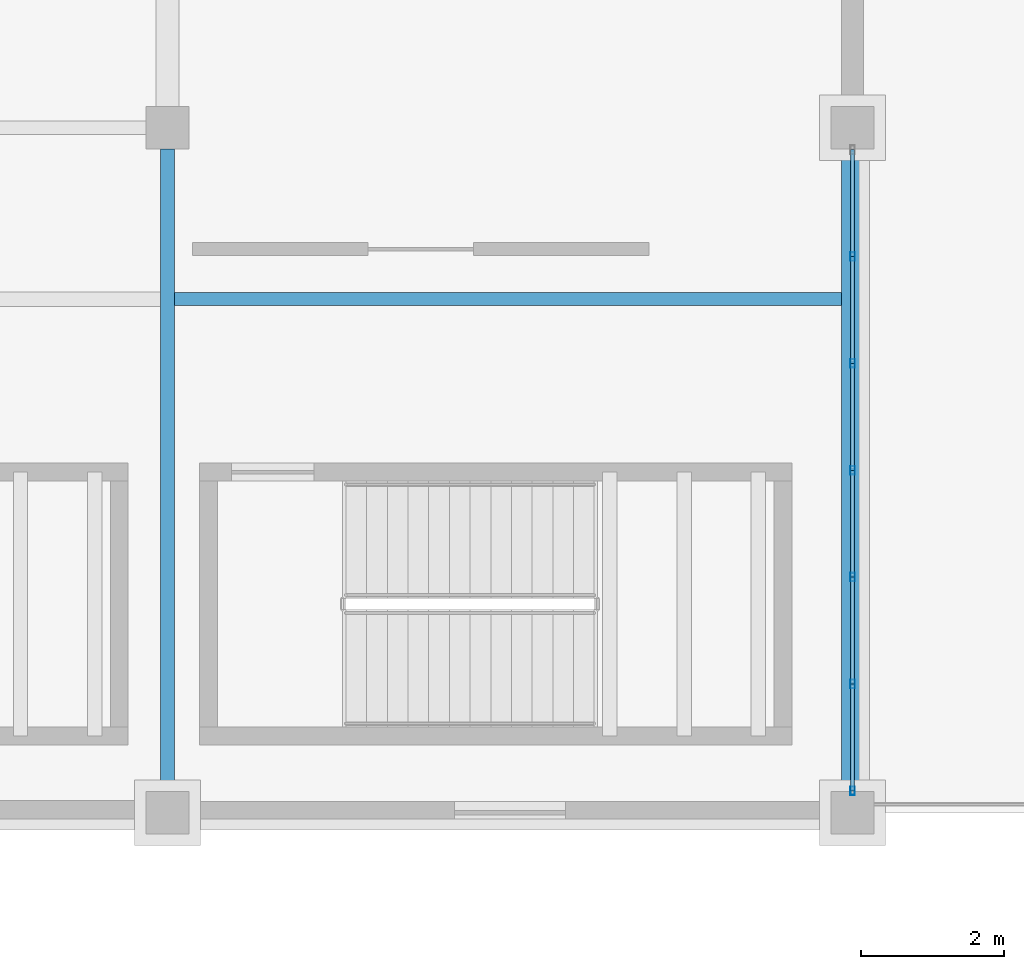
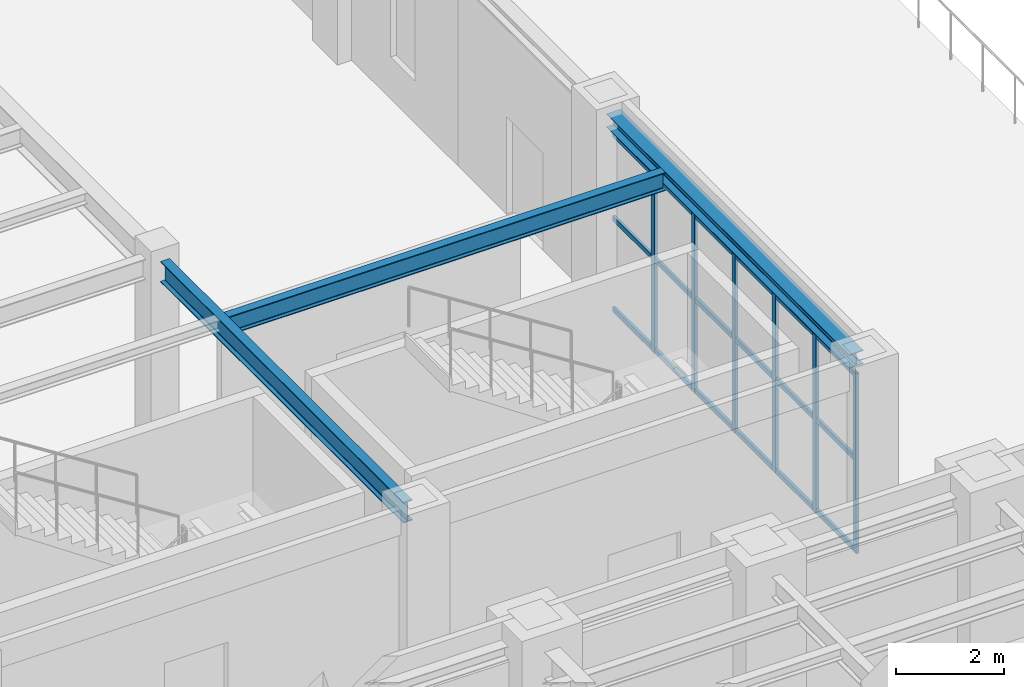
# One storey, part 20 of 83: 24 members, 3 beams, 1 element without a shape of its own.
"""IFC4 building model written with IfcOpenShell, lengths in metres."""

from ifc_helpers import new_model, si_unit, direction, frame, origin, origin_2d, place, context, subcontext, project, spatial, hollow_rectangle, i_section, extrude, material, material_profile, profile_set, type_object, element, aggregate, save


model = new_model("IFC4")

# Units and contexts
model_context = context("Model", 3, precision=1e-05, world=origin(), true_north=direction((0.0, 1.0)))
body_context = subcontext(model_context, "Body", "Model", "MODEL_VIEW")
ifc_project = project(units=[si_unit("LENGTHUNIT", "METRE"), si_unit("AREAUNIT", "SQUARE_METRE"), si_unit("VOLUMEUNIT", "CUBIC_METRE"), si_unit("PLANEANGLEUNIT", "RADIAN"), si_unit("MASSUNIT", "GRAM", prefix="KILO")], contexts=[model_context])

# Site, building, storey
site_placement = place(None, origin())
site = spatial("IfcSite", under=ifc_project, at=site_placement, CompositionType="ELEMENT")
building_placement = place(site_placement, origin())
building = spatial("IfcBuilding", under=site, at=building_placement, Name="Mavantir Sound Aquarium", CompositionType="ELEMENT")
storey_placement = place(building_placement, frame((0.0, 0.0, 10.5)))
storey = spatial("IfcBuildingStorey", under=building, at=storey_placement, Name="L02", CompositionType="ELEMENT", Elevation=10.5)

# Beams
ifc_material_1 = material(Name="Structural Steel ASTM A992 Gr50", Category="steel")
ifc_material_profile_1 = material_profile(ifc_material_1, i_section(OverallWidth=0.304931640625, OverallDepth=0.30810546875, WebThickness=0.010009765625, FlangeThickness=0.015380859375, FilletRadius=0.014892578125, at=origin_2d()), Name="W310X97")
ifc_profile_set_1 = profile_set([ifc_material_profile_1], Name="Structural Steel ASTM A992 Gr50")
beam_type_1 = type_object("IfcBeamType", Name="BM-W310X97-E", PredefinedType="SPANDREL", material=ifc_profile_set_1)
beam_1_placement = place(storey_placement, frame((28.800048828125, 83.89990234375, 4.362060546875), z_axis=(0.0, 1.0, 0.0), x_axis=(-1.0, 0.0, 0.0)))
element("IfcBeam", 1, at=beam_1_placement, inside=storey, type_object=beam_type_1, Name="L02 primary girder SS-31A 1623", PredefinedType="SPANDREL", context=body_context, shape_type="SweptSolid", body=[
    extrude(i_section(OverallWidth=0.304931640625, OverallDepth=0.30810546875, WebThickness=0.010009765625, FlangeThickness=0.015380859375, FilletRadius=0.014892578125, at=origin_2d()), origin(), (0.0, 0.0, 1.0), 9.0),
])
ifc_material_profile_2 = material_profile(ifc_material_1, i_section(OverallWidth=0.180908203125, OverallDepth=0.4169921875, WebThickness=0.010986328125, FlangeThickness=0.018310546875, FilletRadius=0.014892578125, at=origin_2d()), Name="W410X85")
ifc_profile_set_2 = profile_set([ifc_material_profile_2], Name="Structural Steel ASTM A992 Gr50")
beam_type_2 = type_object("IfcBeamType", Name="BM-W410X85-I", PredefinedType="JOIST", material=ifc_profile_set_2)
beam_2_placement = place(storey_placement, frame((19.297119140625, 90.800048828125, 4.3076171875), z_axis=(1.0, 0.0, 0.0), x_axis=(0.0, 1.0, 0.0)))
element("IfcBeam", 2, at=beam_2_placement, inside=storey, type_object=beam_type_2, Name="L02 secondary floor joist SJ-41 957", PredefinedType="JOIST", context=body_context, shape_type="SweptSolid", body=[
    extrude(i_section(OverallWidth=0.180908203125, OverallDepth=0.4169921875, WebThickness=0.010986328125, FlangeThickness=0.018310546875, FilletRadius=0.014892578125, at=origin_2d()), origin(), (0.0, 0.0, 1.0), 9.350341796875),
])
ifc_material_profile_3 = material_profile(ifc_material_1, i_section(OverallWidth=0.194091796875, OverallDepth=0.468994140625, WebThickness=0.0126953125, FlangeThickness=0.0205078125, FilletRadius=0.01611328125, at=origin_2d()), Name="W460X106")
ifc_profile_set_3 = profile_set([ifc_material_profile_3], Name="Structural Steel ASTM A992 Gr50")
beam_type_3 = type_object("IfcBeamType", Name="BM-W460X106-I", PredefinedType="BEAM", material=ifc_profile_set_3)
beam_3_placement = place(storey_placement, frame((19.199951171875, 83.89990234375, 4.281494140625), z_axis=(0.0, 1.0, 0.0), x_axis=(-1.0, 0.0, 0.0)))
element("IfcBeam", 3, at=beam_3_placement, inside=storey, type_object=beam_type_3, Name="L02 primary girder SB-46 1620", PredefinedType="BEAM", context=body_context, shape_type="SweptSolid", body=[
    extrude(i_section(OverallWidth=0.194091796875, OverallDepth=0.468994140625, WebThickness=0.0126953125, FlangeThickness=0.0205078125, FilletRadius=0.01611328125, at=origin_2d()), origin(), (0.0, 0.0, 1.0), 9.0),
])

# Curtain wall, members
ifc_material_2 = material(Name="Anodised Marine Aluminium and Low-E Glass", Category="aluminium")
curtain_wall_type = type_object("IfcCurtainWallType", Name="CW-T20", PredefinedType="USERDEFINED", material=ifc_material_2)
curtain_wall_placement = place(storey_placement, origin())
curtain_wall = element("IfcCurtainWall", 4, at=curtain_wall_placement, inside=storey, type_object=curtain_wall_type, Name="L02 unitised curtain wall CW-20 140", ObjectType="UNITISED GLAZING", PredefinedType="USERDEFINED")
ifc_material_3 = material(Name="Anodised Marine Aluminium 6063-T6", Category="aluminium")
ifc_material_profile_4 = material_profile(ifc_material_3, hollow_rectangle(XDim=0.06494140625, YDim=0.1201171875, WallThickness=0.00390625, at=origin_2d()), Name="ALU-MULLION-120X65")
ifc_profile_set_4 = profile_set([ifc_material_profile_4], Name="Anodised Marine Aluminium 6063-T6")
member_type_1 = type_object("IfcMemberType", Name="CW-MUL-120", PredefinedType="MULLION", material=ifc_profile_set_4)
member_1_placement = place(storey_placement, frame((28.800048828125, 83.907958984375, 0.0), z_axis=(0.0, 0.0, 1.0), x_axis=(1.0, 0.0, 0.0)))
member_1 = element("IfcMember", 5, at=member_1_placement, type_object=member_type_1, Name="CW-L02-140 vertical mullion 1", PredefinedType="MULLION", context=body_context, shape_type="SweptSolid", body=[
    extrude(hollow_rectangle(XDim=0.06494140625, YDim=0.1201171875, WallThickness=0.00390625, at=origin_2d()), origin(), (0.0, 0.0, 1.0), 4.069091796875),
])
member_2_placement = place(storey_placement, frame((28.800048828125, 85.4052734375, 0.0), z_axis=(0.0, 0.0, 1.0), x_axis=(1.0, 0.0, 0.0)))
member_2 = element("IfcMember", 6, at=member_2_placement, type_object=member_type_1, Name="CW-L02-140 vertical mullion 2", PredefinedType="MULLION", context=body_context, shape_type="SweptSolid", body=[
    extrude(hollow_rectangle(XDim=0.06494140625, YDim=0.1201171875, WallThickness=0.00390625, at=origin_2d()), origin(), (0.0, 0.0, 1.0), 4.069091796875),
])
member_3_placement = place(storey_placement, frame((28.800048828125, 86.902587890625, 0.0), z_axis=(0.0, 0.0, 1.0), x_axis=(1.0, 0.0, 0.0)))
member_3 = element("IfcMember", 7, at=member_3_placement, type_object=member_type_1, Name="CW-L02-140 vertical mullion 3", PredefinedType="MULLION", context=body_context, shape_type="SweptSolid", body=[
    extrude(hollow_rectangle(XDim=0.06494140625, YDim=0.1201171875, WallThickness=0.00390625, at=origin_2d()), origin(), (0.0, 0.0, 1.0), 4.069091796875),
])
member_4_placement = place(storey_placement, frame((28.800048828125, 88.39990234375, 0.0), z_axis=(0.0, 0.0, 1.0), x_axis=(1.0, 0.0, 0.0)))
member_4 = element("IfcMember", 8, at=member_4_placement, type_object=member_type_1, Name="CW-L02-140 vertical mullion 4", PredefinedType="MULLION", context=body_context, shape_type="SweptSolid", body=[
    extrude(hollow_rectangle(XDim=0.06494140625, YDim=0.1201171875, WallThickness=0.00390625, at=origin_2d()), origin(), (0.0, 0.0, 1.0), 4.069091796875),
])
member_5_placement = place(storey_placement, frame((28.800048828125, 89.897216796875, 0.0), z_axis=(0.0, 0.0, 1.0), x_axis=(1.0, 0.0, 0.0)))
member_5 = element("IfcMember", 9, at=member_5_placement, type_object=member_type_1, Name="CW-L02-140 vertical mullion 5", PredefinedType="MULLION", context=body_context, shape_type="SweptSolid", body=[
    extrude(hollow_rectangle(XDim=0.06494140625, YDim=0.1201171875, WallThickness=0.00390625, at=origin_2d()), origin(), (0.0, 0.0, 1.0), 4.069091796875),
])
member_6_placement = place(storey_placement, frame((28.800048828125, 91.394775390625, 0.0), z_axis=(0.0, 0.0, 1.0), x_axis=(1.0, 0.0, 0.0)))
member_6 = element("IfcMember", 10, at=member_6_placement, type_object=member_type_1, Name="CW-L02-140 vertical mullion 6", PredefinedType="MULLION", context=body_context, shape_type="SweptSolid", body=[
    extrude(hollow_rectangle(XDim=0.06494140625, YDim=0.1201171875, WallThickness=0.00390625, at=origin_2d()), origin(), (0.0, 0.0, 1.0), 4.069091796875),
])
ifc_material_profile_5 = material_profile(ifc_material_3, hollow_rectangle(XDim=0.06005859375, YDim=0.110107421875, WallThickness=0.00390625, at=origin_2d()), Name="ALU-TRANSOM-110X60")
ifc_profile_set_5 = profile_set([ifc_material_profile_5], Name="Anodised Marine Aluminium 6063-T6")
member_type_2 = type_object("IfcMemberType", Name="CW-TRN-110", PredefinedType="USERDEFINED", material=ifc_profile_set_5)
member_7_placement = place(storey_placement, frame((28.800048828125, 83.907958984375, 0.054931640625), z_axis=(0.0, 1.0, 0.0), x_axis=(-1.0, 0.0, 0.0)))
member_7 = element("IfcMember", 11, at=member_7_placement, type_object=member_type_2, Name="CW-L02-140 transom 1.1", ObjectType="TRANSOM", PredefinedType="USERDEFINED", context=body_context, shape_type="SweptSolid", body=[
    extrude(hollow_rectangle(XDim=0.06005859375, YDim=0.110107421875, WallThickness=0.00390625, at=origin_2d()), origin(), (0.0, 0.0, 1.0), 1.497314453125),
])
member_8_placement = place(storey_placement, frame((28.800048828125, 83.907958984375, 2.115966796875), z_axis=(0.0, 1.0, 0.0), x_axis=(-1.0, 0.0, 0.0)))
member_8 = element("IfcMember", 12, at=member_8_placement, type_object=member_type_2, Name="CW-L02-140 transom 1.2", ObjectType="TRANSOM", PredefinedType="USERDEFINED", context=body_context, shape_type="SweptSolid", body=[
    extrude(hollow_rectangle(XDim=0.06005859375, YDim=0.110107421875, WallThickness=0.00390625, at=origin_2d()), origin(), (0.0, 0.0, 1.0), 1.497314453125),
])
member_9_placement = place(storey_placement, frame((28.800048828125, 83.907958984375, 4.013916015625), z_axis=(0.0, 1.0, 0.0), x_axis=(-1.0, 0.0, 0.0)))
member_9 = element("IfcMember", 13, at=member_9_placement, type_object=member_type_2, Name="CW-L02-140 transom 1.3", ObjectType="TRANSOM", PredefinedType="USERDEFINED", context=body_context, shape_type="SweptSolid", body=[
    extrude(hollow_rectangle(XDim=0.06005859375, YDim=0.110107421875, WallThickness=0.00390625, at=origin_2d()), origin(), (0.0, 0.0, 1.0), 1.497314453125),
])
member_10_placement = place(storey_placement, frame((28.800048828125, 85.4052734375, 0.054931640625), z_axis=(0.0, 1.0, 0.0), x_axis=(-1.0, 0.0, 0.0)))
member_10 = element("IfcMember", 14, at=member_10_placement, type_object=member_type_2, Name="CW-L02-140 transom 2.1", ObjectType="TRANSOM", PredefinedType="USERDEFINED", context=body_context, shape_type="SweptSolid", body=[
    extrude(hollow_rectangle(XDim=0.06005859375, YDim=0.110107421875, WallThickness=0.00390625, at=origin_2d()), origin(), (0.0, 0.0, 1.0), 1.497314453125),
])
member_11_placement = place(storey_placement, frame((28.800048828125, 85.4052734375, 2.115966796875), z_axis=(0.0, 1.0, 0.0), x_axis=(-1.0, 0.0, 0.0)))
member_11 = element("IfcMember", 15, at=member_11_placement, type_object=member_type_2, Name="CW-L02-140 transom 2.2", ObjectType="TRANSOM", PredefinedType="USERDEFINED", context=body_context, shape_type="SweptSolid", body=[
    extrude(hollow_rectangle(XDim=0.06005859375, YDim=0.110107421875, WallThickness=0.00390625, at=origin_2d()), origin(), (0.0, 0.0, 1.0), 1.497314453125),
])
member_12_placement = place(storey_placement, frame((28.800048828125, 85.4052734375, 4.013916015625), z_axis=(0.0, 1.0, 0.0), x_axis=(-1.0, 0.0, 0.0)))
member_12 = element("IfcMember", 16, at=member_12_placement, type_object=member_type_2, Name="CW-L02-140 transom 2.3", ObjectType="TRANSOM", PredefinedType="USERDEFINED", context=body_context, shape_type="SweptSolid", body=[
    extrude(hollow_rectangle(XDim=0.06005859375, YDim=0.110107421875, WallThickness=0.00390625, at=origin_2d()), origin(), (0.0, 0.0, 1.0), 1.497314453125),
])
member_13_placement = place(storey_placement, frame((28.800048828125, 86.902587890625, 0.054931640625), z_axis=(0.0, 1.0, 0.0), x_axis=(-1.0, 0.0, 0.0)))
member_13 = element("IfcMember", 17, at=member_13_placement, type_object=member_type_2, Name="CW-L02-140 transom 3.1", ObjectType="TRANSOM", PredefinedType="USERDEFINED", context=body_context, shape_type="SweptSolid", body=[
    extrude(hollow_rectangle(XDim=0.06005859375, YDim=0.110107421875, WallThickness=0.00390625, at=origin_2d()), origin(), (0.0, 0.0, 1.0), 1.497314453125),
])
member_14_placement = place(storey_placement, frame((28.800048828125, 86.902587890625, 2.115966796875), z_axis=(0.0, 1.0, 0.0), x_axis=(-1.0, 0.0, 0.0)))
member_14 = element("IfcMember", 18, at=member_14_placement, type_object=member_type_2, Name="CW-L02-140 transom 3.2", ObjectType="TRANSOM", PredefinedType="USERDEFINED", context=body_context, shape_type="SweptSolid", body=[
    extrude(hollow_rectangle(XDim=0.06005859375, YDim=0.110107421875, WallThickness=0.00390625, at=origin_2d()), origin(), (0.0, 0.0, 1.0), 1.497314453125),
])
member_15_placement = place(storey_placement, frame((28.800048828125, 86.902587890625, 4.013916015625), z_axis=(0.0, 1.0, 0.0), x_axis=(-1.0, 0.0, 0.0)))
member_15 = element("IfcMember", 19, at=member_15_placement, type_object=member_type_2, Name="CW-L02-140 transom 3.3", ObjectType="TRANSOM", PredefinedType="USERDEFINED", context=body_context, shape_type="SweptSolid", body=[
    extrude(hollow_rectangle(XDim=0.06005859375, YDim=0.110107421875, WallThickness=0.00390625, at=origin_2d()), origin(), (0.0, 0.0, 1.0), 1.497314453125),
])
member_16_placement = place(storey_placement, frame((28.800048828125, 88.39990234375, 0.054931640625), z_axis=(0.0, 1.0, 0.0), x_axis=(-1.0, 0.0, 0.0)))
member_16 = element("IfcMember", 20, at=member_16_placement, type_object=member_type_2, Name="CW-L02-140 transom 4.1", ObjectType="TRANSOM", PredefinedType="USERDEFINED", context=body_context, shape_type="SweptSolid", body=[
    extrude(hollow_rectangle(XDim=0.06005859375, YDim=0.110107421875, WallThickness=0.00390625, at=origin_2d()), origin(), (0.0, 0.0, 1.0), 1.497314453125),
])
member_17_placement = place(storey_placement, frame((28.800048828125, 88.39990234375, 2.115966796875), z_axis=(0.0, 1.0, 0.0), x_axis=(-1.0, 0.0, 0.0)))
member_17 = element("IfcMember", 21, at=member_17_placement, type_object=member_type_2, Name="CW-L02-140 transom 4.2", ObjectType="TRANSOM", PredefinedType="USERDEFINED", context=body_context, shape_type="SweptSolid", body=[
    extrude(hollow_rectangle(XDim=0.06005859375, YDim=0.110107421875, WallThickness=0.00390625, at=origin_2d()), origin(), (0.0, 0.0, 1.0), 1.497314453125),
])
member_18_placement = place(storey_placement, frame((28.800048828125, 88.39990234375, 4.013916015625), z_axis=(0.0, 1.0, 0.0), x_axis=(-1.0, 0.0, 0.0)))
member_18 = element("IfcMember", 22, at=member_18_placement, type_object=member_type_2, Name="CW-L02-140 transom 4.3", ObjectType="TRANSOM", PredefinedType="USERDEFINED", context=body_context, shape_type="SweptSolid", body=[
    extrude(hollow_rectangle(XDim=0.06005859375, YDim=0.110107421875, WallThickness=0.00390625, at=origin_2d()), origin(), (0.0, 0.0, 1.0), 1.497314453125),
])
member_19_placement = place(storey_placement, frame((28.800048828125, 89.897216796875, 0.054931640625), z_axis=(0.0, 1.0, 0.0), x_axis=(-1.0, 0.0, 0.0)))
member_19 = element("IfcMember", 23, at=member_19_placement, type_object=member_type_2, Name="CW-L02-140 transom 5.1", ObjectType="TRANSOM", PredefinedType="USERDEFINED", context=body_context, shape_type="SweptSolid", body=[
    extrude(hollow_rectangle(XDim=0.06005859375, YDim=0.110107421875, WallThickness=0.00390625, at=origin_2d()), origin(), (0.0, 0.0, 1.0), 1.49755859375),
])
member_20_placement = place(storey_placement, frame((28.800048828125, 89.897216796875, 2.115966796875), z_axis=(0.0, 1.0, 0.0), x_axis=(-1.0, 0.0, 0.0)))
member_20 = element("IfcMember", 24, at=member_20_placement, type_object=member_type_2, Name="CW-L02-140 transom 5.2", ObjectType="TRANSOM", PredefinedType="USERDEFINED", context=body_context, shape_type="SweptSolid", body=[
    extrude(hollow_rectangle(XDim=0.06005859375, YDim=0.110107421875, WallThickness=0.00390625, at=origin_2d()), origin(), (0.0, 0.0, 1.0), 1.49755859375),
])
member_21_placement = place(storey_placement, frame((28.800048828125, 89.897216796875, 4.013916015625), z_axis=(0.0, 1.0, 0.0), x_axis=(-1.0, 0.0, 0.0)))
member_21 = element("IfcMember", 25, at=member_21_placement, type_object=member_type_2, Name="CW-L02-140 transom 5.3", ObjectType="TRANSOM", PredefinedType="USERDEFINED", context=body_context, shape_type="SweptSolid", body=[
    extrude(hollow_rectangle(XDim=0.06005859375, YDim=0.110107421875, WallThickness=0.00390625, at=origin_2d()), origin(), (0.0, 0.0, 1.0), 1.49755859375),
])
member_22_placement = place(storey_placement, frame((28.800048828125, 91.394775390625, 0.054931640625), z_axis=(0.0, 1.0, 0.0), x_axis=(-1.0, 0.0, 0.0)))
member_22 = element("IfcMember", 26, at=member_22_placement, type_object=member_type_2, Name="CW-L02-140 transom 6.1", ObjectType="TRANSOM", PredefinedType="USERDEFINED", context=body_context, shape_type="SweptSolid", body=[
    extrude(hollow_rectangle(XDim=0.06005859375, YDim=0.110107421875, WallThickness=0.00390625, at=origin_2d()), origin(), (0.0, 0.0, 1.0), 1.497314453125),
])
member_23_placement = place(storey_placement, frame((28.800048828125, 91.394775390625, 2.115966796875), z_axis=(0.0, 1.0, 0.0), x_axis=(-1.0, 0.0, 0.0)))
member_23 = element("IfcMember", 27, at=member_23_placement, type_object=member_type_2, Name="CW-L02-140 transom 6.2", ObjectType="TRANSOM", PredefinedType="USERDEFINED", context=body_context, shape_type="SweptSolid", body=[
    extrude(hollow_rectangle(XDim=0.06005859375, YDim=0.110107421875, WallThickness=0.00390625, at=origin_2d()), origin(), (0.0, 0.0, 1.0), 1.497314453125),
])
member_24_placement = place(storey_placement, frame((28.800048828125, 91.394775390625, 4.013916015625), z_axis=(0.0, 1.0, 0.0), x_axis=(-1.0, 0.0, 0.0)))
member_24 = element("IfcMember", 28, at=member_24_placement, type_object=member_type_2, Name="CW-L02-140 transom 6.3", ObjectType="TRANSOM", PredefinedType="USERDEFINED", context=body_context, shape_type="SweptSolid", body=[
    extrude(hollow_rectangle(XDim=0.06005859375, YDim=0.110107421875, WallThickness=0.00390625, at=origin_2d()), origin(), (0.0, 0.0, 1.0), 1.497314453125),
])
aggregate(curtain_wall, [member_1, member_2, member_3, member_4, member_5, member_6, member_7, member_8, member_9, member_10, member_11, member_12, member_13, member_14, member_15, member_16, member_17, member_18, member_19, member_20, member_21, member_22, member_23, member_24])

save(model, "model.ifc")
